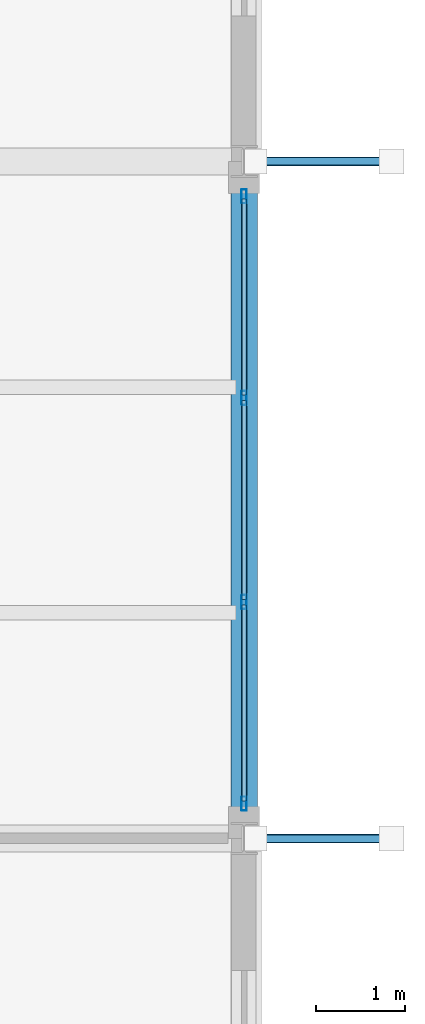
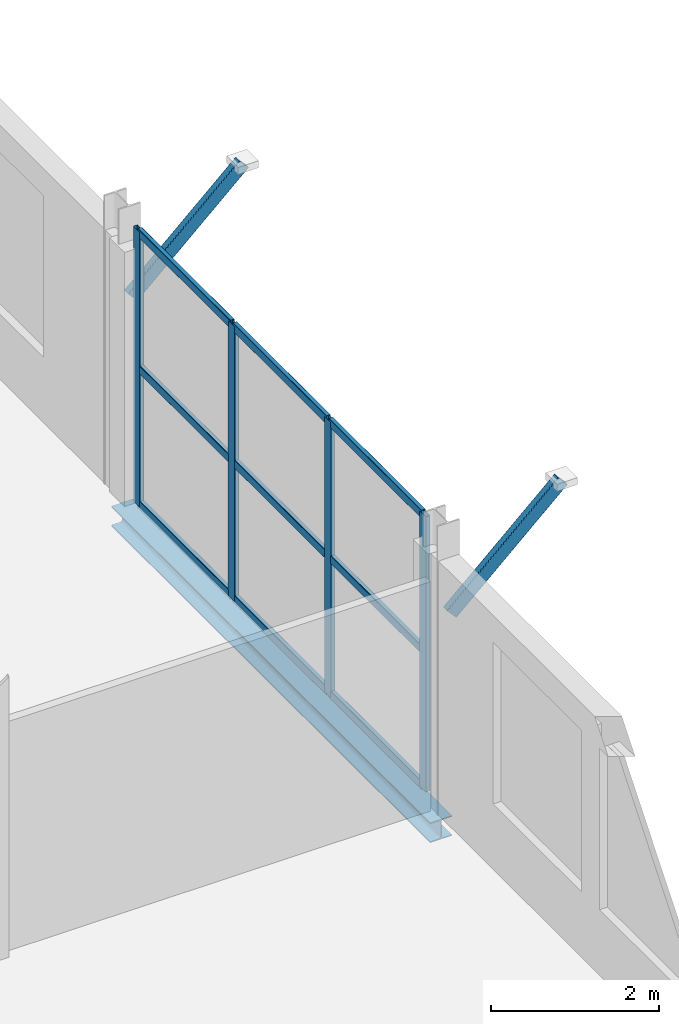
# One storey, part 15 of 25: 15 members, 1 beam, 1 element without a shape of its own.
"""IFC4 building model written with IfcOpenShell, lengths in metres."""

from ifc_helpers import new_model, si_unit, direction, frame, origin, origin_2d, place, context, subcontext, project, spatial, hollow_rectangle, i_section, extrude, material, layer, layer_set, material_profile, profile_set, type_object, element, aggregate, save


model = new_model("IFC4")

# Units and contexts
model_context = context("Model", 3, precision=1e-05, world=origin(), true_north=direction((0.0, 1.0)))
body_context = subcontext(model_context, "Body", "Model", "MODEL_VIEW")
ifc_project = project(units=[si_unit("LENGTHUNIT", "METRE"), si_unit("AREAUNIT", "SQUARE_METRE"), si_unit("VOLUMEUNIT", "CUBIC_METRE"), si_unit("PLANEANGLEUNIT", "RADIAN"), si_unit("MASSUNIT", "GRAM", prefix="KILO")], contexts=[model_context])

# Site, building, storey
site_placement = place(None, origin())
site = spatial("IfcSite", under=ifc_project, at=site_placement, CompositionType="ELEMENT")
building_placement = place(site_placement, origin())
building = spatial("IfcBuilding", under=site, at=building_placement, Name="Vekula Escarpment Museum", CompositionType="ELEMENT")
storey_placement = place(building_placement, frame((0.0, 0.0, 26.39990234375)))
storey = spatial("IfcBuildingStorey", under=building, at=storey_placement, Name="L06", CompositionType="ELEMENT", Elevation=26.39990234375)

# Beam
ifc_material_1 = material(Name="Steel S355", Category="steel")
ifc_material_profile_1 = material_profile(ifc_material_1, i_section(OverallWidth=0.300048828125, OverallDepth=0.2900390625, WebThickness=0.008544921875, FlangeThickness=0.013916015625, FilletRadius=0.027099609375, at=origin_2d()), Name="HEA 300")
ifc_profile_set_1 = profile_set([ifc_material_profile_1], Name="Steel S355")
beam_type = type_object("IfcBeamType", Name="BM-SPAN-HEA300", PredefinedType="SPANDREL", material=ifc_profile_set_1)
beam_placement = place(storey_placement, frame((198.0, 98.0, -0.364990234375), z_axis=(0.0, 1.0, 0.0), x_axis=(-1.0, 0.0, 0.0)))
element("IfcBeam", 1, at=beam_placement, inside=storey, type_object=beam_type, Name="Beam Y L06 2299", PredefinedType="SPANDREL", context=body_context, shape_type="SweptSolid", body=[
    extrude(i_section(OverallWidth=0.300048828125, OverallDepth=0.2900390625, WebThickness=0.008544921875, FlangeThickness=0.013916015625, FilletRadius=0.027099609375, at=origin_2d()), origin(), (0.0, 0.0, 1.0), 7.60009765625),
])

# Curtain wall, members
ifc_material_2 = material(Name="Aluminium thermally broken framing", Category="aluminium")
ifc_layer = layer(ifc_material_2, 0.169921875)
ifc_layer_set = layer_set([ifc_layer], Name="Aluminium thermally broken framing")
curtain_wall_type = type_object("IfcCurtainWallType", Name="CW-SYS-10", PredefinedType="NOTDEFINED", material=ifc_layer_set)
curtain_wall_placement = place(storey_placement, origin())
curtain_wall = element("IfcCurtainWall", 2, at=curtain_wall_placement, inside=storey, type_object=curtain_wall_type, Name="Curtain Wall CW-L06-190", PredefinedType="NOTDEFINED")
ifc_material_3 = material(Name="Aluminium anodized mullion", Category="aluminium")
ifc_material_profile_2 = material_profile(ifc_material_3, hollow_rectangle(XDim=0.06005859375, YDim=0.159912109375, WallThickness=0.00390625, InnerFilletRadius=0.00390625, OuterFilletRadius=0.008056640625, at=origin_2d()), Name="ALU 160x60x4")
ifc_profile_set_2 = profile_set([ifc_material_profile_2], Name="Aluminium anodized mullion")
member_type_1 = type_object("IfcMemberType", Name="CW-MUL-160", PredefinedType="MULLION", material=ifc_profile_set_2)
member_1_placement = place(storey_placement, frame((198.0, 98.389892578125, 0.0), z_axis=(0.0, 0.0, 1.0), x_axis=(-1.0, 0.0, 0.0)))
member_1 = element("IfcMember", 3, at=member_1_placement, type_object=member_type_1, Name="CW-10 mullion 1", PredefinedType="MULLION", context=body_context, shape_type="SweptSolid", body=[
    extrude(hollow_rectangle(XDim=0.06005859375, YDim=0.159912109375, WallThickness=0.00390625, InnerFilletRadius=0.00390625, OuterFilletRadius=0.008056640625, at=origin_2d()), origin(), (0.0, 0.0, 1.0), 4.0),
])
member_2_placement = place(storey_placement, frame((198.0, 100.6533203125, 0.0), z_axis=(0.0, 0.0, 1.0), x_axis=(-1.0, 0.0, 0.0)))
member_2 = element("IfcMember", 4, at=member_2_placement, type_object=member_type_1, Name="CW-10 mullion 2", PredefinedType="MULLION", context=body_context, shape_type="SweptSolid", body=[
    extrude(hollow_rectangle(XDim=0.06005859375, YDim=0.159912109375, WallThickness=0.00390625, InnerFilletRadius=0.00390625, OuterFilletRadius=0.008056640625, at=origin_2d()), origin(), (0.0, 0.0, 1.0), 4.0),
])
member_3_placement = place(storey_placement, frame((198.0, 102.94677734375, 0.0), z_axis=(0.0, 0.0, 1.0), x_axis=(-1.0, 0.0, 0.0)))
member_3 = element("IfcMember", 5, at=member_3_placement, type_object=member_type_1, Name="CW-10 mullion 3", PredefinedType="MULLION", context=body_context, shape_type="SweptSolid", body=[
    extrude(hollow_rectangle(XDim=0.06005859375, YDim=0.159912109375, WallThickness=0.00390625, InnerFilletRadius=0.00390625, OuterFilletRadius=0.008056640625, at=origin_2d()), origin(), (0.0, 0.0, 1.0), 4.0),
])
member_4_placement = place(storey_placement, frame((198.0, 105.2099609375, 0.0), z_axis=(0.0, 0.0, 1.0), x_axis=(-1.0, 0.0, 0.0)))
member_4 = element("IfcMember", 6, at=member_4_placement, type_object=member_type_1, Name="CW-10 mullion 4", PredefinedType="MULLION", context=body_context, shape_type="SweptSolid", body=[
    extrude(hollow_rectangle(XDim=0.06005859375, YDim=0.159912109375, WallThickness=0.00390625, InnerFilletRadius=0.00390625, OuterFilletRadius=0.008056640625, at=origin_2d()), origin(), (0.0, 0.0, 1.0), 4.0),
])
ifc_material_4 = material(Name="Aluminium anodized transom", Category="aluminium")
ifc_material_profile_3 = material_profile(ifc_material_4, hollow_rectangle(XDim=0.06005859375, YDim=0.1201171875, WallThickness=0.00390625, InnerFilletRadius=0.00390625, OuterFilletRadius=0.008056640625, at=origin_2d()), Name="ALU 120x60x4")
ifc_profile_set_3 = profile_set([ifc_material_profile_3], Name="Aluminium anodized transom")
member_type_2 = type_object("IfcMemberType", Name="CW-TRN-120", PredefinedType="USERDEFINED", material=ifc_profile_set_3)
member_5_placement = place(storey_placement, frame((198.0, 98.419921875, 0.030029296875), z_axis=(0.0, 1.0, 0.0), x_axis=(-1.0, 0.0, 0.0)))
member_5 = element("IfcMember", 7, at=member_5_placement, type_object=member_type_2, Name="CW-10 transom 1.1", ObjectType="TRANSOM", PredefinedType="USERDEFINED", context=body_context, shape_type="SweptSolid", body=[
    extrude(hollow_rectangle(XDim=0.06005859375, YDim=0.1201171875, WallThickness=0.00390625, InnerFilletRadius=0.00390625, OuterFilletRadius=0.008056640625, at=origin_2d()), origin(), (0.0, 0.0, 1.0), 2.203369140625),
])
member_6_placement = place(storey_placement, frame((198.0, 98.419921875, 2.0), z_axis=(0.0, 1.0, 0.0), x_axis=(-1.0, 0.0, 0.0)))
member_6 = element("IfcMember", 8, at=member_6_placement, type_object=member_type_2, Name="CW-10 transom 1.2", ObjectType="TRANSOM", PredefinedType="USERDEFINED", context=body_context, shape_type="SweptSolid", body=[
    extrude(hollow_rectangle(XDim=0.06005859375, YDim=0.1201171875, WallThickness=0.00390625, InnerFilletRadius=0.00390625, OuterFilletRadius=0.008056640625, at=origin_2d()), origin(), (0.0, 0.0, 1.0), 2.203369140625),
])
member_7_placement = place(storey_placement, frame((198.0, 98.419921875, 3.97021484375), z_axis=(0.0, 1.0, 0.0), x_axis=(-1.0, 0.0, 0.0)))
member_7 = element("IfcMember", 9, at=member_7_placement, type_object=member_type_2, Name="CW-10 transom 1.3", ObjectType="TRANSOM", PredefinedType="USERDEFINED", context=body_context, shape_type="SweptSolid", body=[
    extrude(hollow_rectangle(XDim=0.06005859375, YDim=0.1201171875, WallThickness=0.00390625, InnerFilletRadius=0.00390625, OuterFilletRadius=0.008056640625, at=origin_2d()), origin(), (0.0, 0.0, 1.0), 2.203369140625),
])
member_8_placement = place(storey_placement, frame((198.0, 100.683349609375, 0.030029296875), z_axis=(0.0, 1.0, 0.0), x_axis=(-1.0, 0.0, 0.0)))
member_8 = element("IfcMember", 10, at=member_8_placement, type_object=member_type_2, Name="CW-10 transom 2.1", ObjectType="TRANSOM", PredefinedType="USERDEFINED", context=body_context, shape_type="SweptSolid", body=[
    extrude(hollow_rectangle(XDim=0.06005859375, YDim=0.1201171875, WallThickness=0.00390625, InnerFilletRadius=0.00390625, OuterFilletRadius=0.008056640625, at=origin_2d()), origin(), (0.0, 0.0, 1.0), 2.2333984375),
])
member_9_placement = place(storey_placement, frame((198.0, 100.683349609375, 2.0), z_axis=(0.0, 1.0, 0.0), x_axis=(-1.0, 0.0, 0.0)))
member_9 = element("IfcMember", 11, at=member_9_placement, type_object=member_type_2, Name="CW-10 transom 2.2", ObjectType="TRANSOM", PredefinedType="USERDEFINED", context=body_context, shape_type="SweptSolid", body=[
    extrude(hollow_rectangle(XDim=0.06005859375, YDim=0.1201171875, WallThickness=0.00390625, InnerFilletRadius=0.00390625, OuterFilletRadius=0.008056640625, at=origin_2d()), origin(), (0.0, 0.0, 1.0), 2.2333984375),
])
member_10_placement = place(storey_placement, frame((198.0, 100.683349609375, 3.97021484375), z_axis=(0.0, 1.0, 0.0), x_axis=(-1.0, 0.0, 0.0)))
member_10 = element("IfcMember", 12, at=member_10_placement, type_object=member_type_2, Name="CW-10 transom 2.3", ObjectType="TRANSOM", PredefinedType="USERDEFINED", context=body_context, shape_type="SweptSolid", body=[
    extrude(hollow_rectangle(XDim=0.06005859375, YDim=0.1201171875, WallThickness=0.00390625, InnerFilletRadius=0.00390625, OuterFilletRadius=0.008056640625, at=origin_2d()), origin(), (0.0, 0.0, 1.0), 2.2333984375),
])
member_11_placement = place(storey_placement, frame((198.0, 102.9765625, 0.030029296875), z_axis=(0.0, 1.0, 0.0), x_axis=(-1.0, 0.0, 0.0)))
member_11 = element("IfcMember", 13, at=member_11_placement, type_object=member_type_2, Name="CW-10 transom 3.1", ObjectType="TRANSOM", PredefinedType="USERDEFINED", context=body_context, shape_type="SweptSolid", body=[
    extrude(hollow_rectangle(XDim=0.06005859375, YDim=0.1201171875, WallThickness=0.00390625, InnerFilletRadius=0.00390625, OuterFilletRadius=0.008056640625, at=origin_2d()), origin(), (0.0, 0.0, 1.0), 2.203369140625),
])
member_12_placement = place(storey_placement, frame((198.0, 102.9765625, 2.0), z_axis=(0.0, 1.0, 0.0), x_axis=(-1.0, 0.0, 0.0)))
member_12 = element("IfcMember", 14, at=member_12_placement, type_object=member_type_2, Name="CW-10 transom 3.2", ObjectType="TRANSOM", PredefinedType="USERDEFINED", context=body_context, shape_type="SweptSolid", body=[
    extrude(hollow_rectangle(XDim=0.06005859375, YDim=0.1201171875, WallThickness=0.00390625, InnerFilletRadius=0.00390625, OuterFilletRadius=0.008056640625, at=origin_2d()), origin(), (0.0, 0.0, 1.0), 2.203369140625),
])
member_13_placement = place(storey_placement, frame((198.0, 102.9765625, 3.97021484375), z_axis=(0.0, 1.0, 0.0), x_axis=(-1.0, 0.0, 0.0)))
member_13 = element("IfcMember", 15, at=member_13_placement, type_object=member_type_2, Name="CW-10 transom 3.3", ObjectType="TRANSOM", PredefinedType="USERDEFINED", context=body_context, shape_type="SweptSolid", body=[
    extrude(hollow_rectangle(XDim=0.06005859375, YDim=0.1201171875, WallThickness=0.00390625, InnerFilletRadius=0.00390625, OuterFilletRadius=0.008056640625, at=origin_2d()), origin(), (0.0, 0.0, 1.0), 2.203369140625),
])
aggregate(curtain_wall, [member_1, member_2, member_3, member_4, member_5, member_6, member_7, member_8, member_9, member_10, member_11, member_12, member_13])

# Members
ifc_material_5 = material(Name="Steel S355", Category="steel")
ifc_material_profile_4 = material_profile(ifc_material_5, hollow_rectangle(XDim=0.10009765625, YDim=0.199951171875, WallThickness=0.008056640625, InnerFilletRadius=0.008056640625, OuterFilletRadius=0.01611328125, at=origin_2d()), Name="RHS 200x100x8")
ifc_profile_set_4 = profile_set([ifc_material_profile_4], Name="Steel S355")
member_type_3 = type_object("IfcMemberType", Name="MB-SACAK-BRK", PredefinedType="STRUT", material=ifc_profile_set_4)
for number, where, z_axis, x_axis, name in (
    (16, (198.1201171875, 98.0, 2.75), (0.737671918574, 0.0, 0.675159344561), (0.0, 1.0, 0.0), "Cumba Sacak Eave Bracket 0161"),
    (17, (198.1201171875, 105.60009765625, 2.75), (0.737671918574, 0.0, 0.675159344561), (0.0, 1.0, 0.0), "Cumba Sacak Eave Bracket 0163"),
):
    element("IfcMember", number, at=place(storey_placement, frame(where, z_axis=z_axis, x_axis=x_axis)), inside=storey, type_object=member_type_3, Name=name, PredefinedType="STRUT", context=body_context, shape_type="SweptSolid", body=[
        extrude(hollow_rectangle(XDim=0.10009765625, YDim=0.199951171875, WallThickness=0.008056640625, InnerFilletRadius=0.008056640625, OuterFilletRadius=0.01611328125, at=origin_2d()), origin(), (0.0, 0.0, 1.0), 2.07373046875),
    ])

save(model, "model.ifc")
